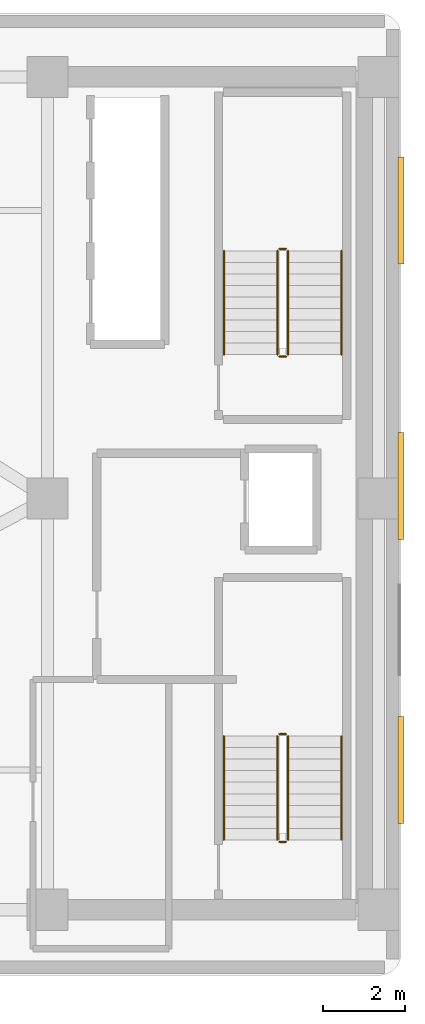
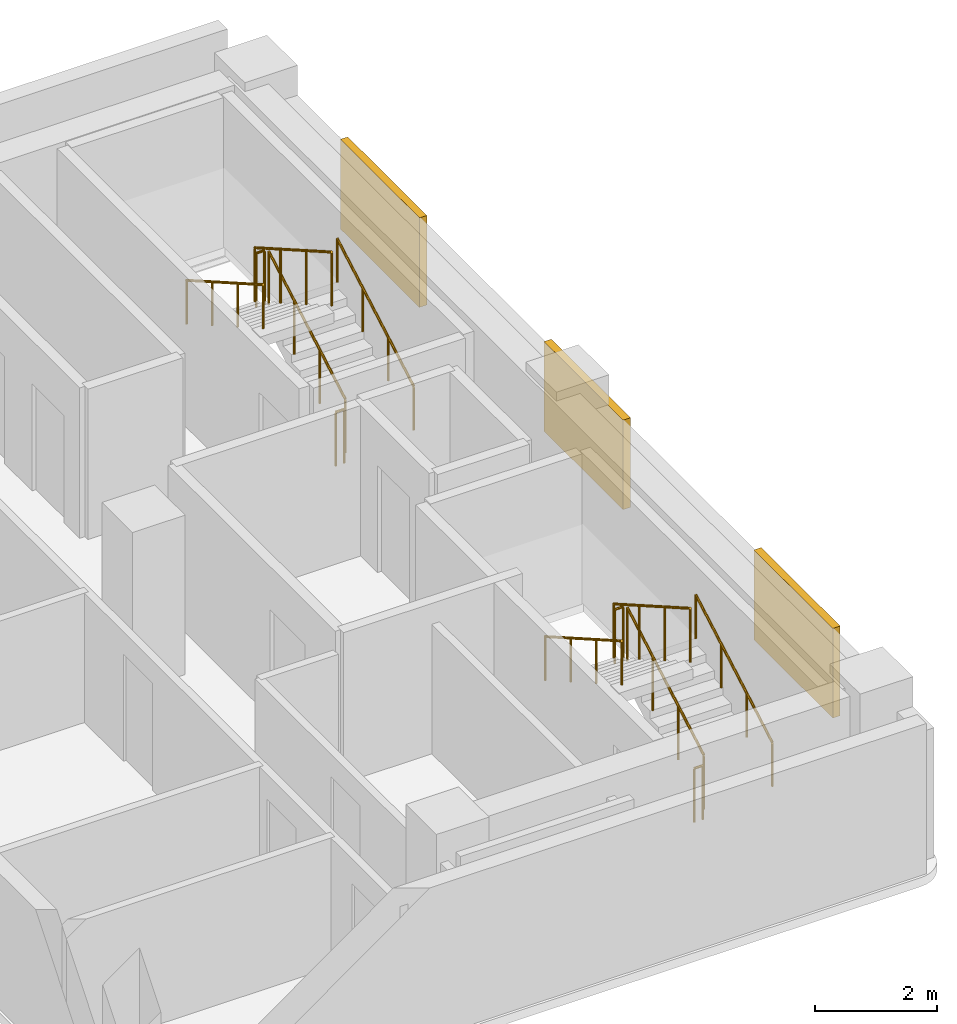
# One storey, part 10 of 10: 12 railings, 3 shading devices.
"""IFC4 building model written with IfcOpenShell, lengths in metres."""

from ifc_helpers import new_model, si_unit, direction, frame, origin, origin_2d, place, context, subcontext, project, spatial, rectangle, circle, extrude, material, layer, layer_set, type_object, element, save


model = new_model("IFC4")

# Units and contexts
model_context = context("Model", 3, precision=1e-05, world=origin(), true_north=direction((0.0, 1.0)))
body_context = subcontext(model_context, "Body", "Model", "MODEL_VIEW")
ifc_project = project(units=[si_unit("LENGTHUNIT", "METRE"), si_unit("AREAUNIT", "SQUARE_METRE"), si_unit("VOLUMEUNIT", "CUBIC_METRE"), si_unit("PLANEANGLEUNIT", "RADIAN"), si_unit("MASSUNIT", "GRAM", prefix="KILO")], contexts=[model_context])

# Site, building, storey
site_placement = place(None, origin())
site = spatial("IfcSite", under=ifc_project, at=site_placement, CompositionType="ELEMENT")
building_placement = place(site_placement, origin())
building = spatial("IfcBuilding", under=site, at=building_placement, Name="Kuzgunbayir Cultural Tower", CompositionType="ELEMENT")
storey_placement = place(building_placement, frame((0.0, 0.0, 93.0)))
storey = spatial("IfcBuildingStorey", under=building, at=storey_placement, Name="L26", CompositionType="ELEMENT", Elevation=93.0)

# Railings
ifc_material_1 = material(Name="Brushed Stainless Steel", Category="steel")
ifc_layer_1 = layer(ifc_material_1, 0.050048828125)
ifc_layer_set_1 = layer_set([ifc_layer_1], Name="Brushed Stainless Steel")
railing_type_1 = type_object("IfcRailingType", Name="RLG-STAIR-HANDRAIL", PredefinedType="HANDRAIL", material=ifc_layer_set_1)
railing_1_placement = place(storey_placement, frame((71.75, 23.699951171875, 0.159912109375)))
element("IfcRailing", 1, at=railing_1_placement, inside=storey, type_object=railing_type_1, Name="L26 ST-3 stair handrail 1", PredefinedType="HANDRAIL", context=body_context, shape_type="SweptSolid", body=[
    extrude(circle(Radius=0.02392578125, at=origin_2d()), frame((0.0, 0.0, 0.8759765625), z_axis=(0.0, 0.868217259934, 0.496184229447), x_axis=(-1.0, 0.0, 0.0)), (0.0, 0.0, 1.0), 2.902587890625),
    extrude(circle(Radius=0.02099609375, at=origin_2d()), origin(), (0.0, 0.0, 1.0), 0.851806640625),
    extrude(circle(Radius=0.02099609375, at=origin_2d()), frame((0.0, 0.840087890625, 0.47998046875)), (0.0, 0.0, 1.0), 0.851806640625),
    extrude(circle(Radius=0.02099609375, at=origin_2d()), frame((0.0, 1.679931640625, 0.960205078125)), (0.0, 0.0, 1.0), 0.851806640625),
    extrude(circle(Radius=0.02099609375, at=origin_2d()), frame((0.0, 2.52001953125, 1.440185546875)), (0.0, 0.0, 1.0), 0.851806640625),
])
railing_2_placement = place(storey_placement, frame((68.889892578125, 26.219970703125, 1.760009765625)))
element("IfcRailing", 2, at=railing_2_placement, inside=storey, type_object=railing_type_1, Name="L26 ST-3 stair handrail 2", PredefinedType="HANDRAIL", context=body_context, shape_type="SweptSolid", body=[
    extrude(circle(Radius=0.02392578125, at=origin_2d()), frame((0.0, 0.0, 0.8759765625), z_axis=(0.0, -0.868253494771, 0.496120820787), x_axis=(1.0, 0.0, 0.0)), (0.0, 0.0, 1.0), 2.90234375),
    extrude(circle(Radius=0.02099609375, at=origin_2d()), origin(), (0.0, 0.0, 1.0), 0.851806640625),
    extrude(circle(Radius=0.02099609375, at=origin_2d()), frame((0.0, -0.840087890625, 0.47998046875)), (0.0, 0.0, 1.0), 0.851806640625),
    extrude(circle(Radius=0.02099609375, at=origin_2d()), frame((0.0, -1.679931640625, 0.9599609375)), (0.0, 0.0, 1.0), 0.851806640625),
    extrude(circle(Radius=0.02099609375, at=origin_2d()), frame((0.0, -2.52001953125, 1.43994140625)), (0.0, 0.0, 1.0), 0.851806640625),
])
railing_3_placement = place(storey_placement, frame((71.75, 35.5, 0.159912109375)))
element("IfcRailing", 3, at=railing_3_placement, inside=storey, type_object=railing_type_1, Name="L26 ST-4 stair handrail 1", PredefinedType="HANDRAIL", context=body_context, shape_type="SweptSolid", body=[
    extrude(circle(Radius=0.02392578125, at=origin_2d()), frame((0.0, 0.0, 0.8759765625), z_axis=(0.0, 0.868217259934, 0.496184229447), x_axis=(-1.0, 0.0, 0.0)), (0.0, 0.0, 1.0), 2.902587890625),
    extrude(circle(Radius=0.02099609375, at=origin_2d()), origin(), (0.0, 0.0, 1.0), 0.851806640625),
    extrude(circle(Radius=0.02099609375, at=origin_2d()), frame((0.0, 0.840087890625, 0.47998046875)), (0.0, 0.0, 1.0), 0.851806640625),
    extrude(circle(Radius=0.02099609375, at=origin_2d()), frame((0.0, 1.679931640625, 0.960205078125)), (0.0, 0.0, 1.0), 0.851806640625),
    extrude(circle(Radius=0.02099609375, at=origin_2d()), frame((0.0, 2.52001953125, 1.440185546875)), (0.0, 0.0, 1.0), 0.851806640625),
])
railing_4_placement = place(storey_placement, frame((68.889892578125, 38.02001953125, 1.760009765625)))
element("IfcRailing", 4, at=railing_4_placement, inside=storey, type_object=railing_type_1, Name="L26 ST-4 stair handrail 2", PredefinedType="HANDRAIL", context=body_context, shape_type="SweptSolid", body=[
    extrude(circle(Radius=0.02392578125, at=origin_2d()), frame((0.0, 0.0, 0.8759765625), z_axis=(0.0, -0.868253494771, 0.496120820787), x_axis=(1.0, 0.0, 0.0)), (0.0, 0.0, 1.0), 2.90234375),
    extrude(circle(Radius=0.02099609375, at=origin_2d()), origin(), (0.0, 0.0, 1.0), 0.851806640625),
    extrude(circle(Radius=0.02099609375, at=origin_2d()), frame((0.0, -0.840087890625, 0.47998046875)), (0.0, 0.0, 1.0), 0.851806640625),
    extrude(circle(Radius=0.02099609375, at=origin_2d()), frame((0.0, -1.679931640625, 0.9599609375)), (0.0, 0.0, 1.0), 0.851806640625),
    extrude(circle(Radius=0.02099609375, at=origin_2d()), frame((0.0, -2.52001953125, 1.43994140625)), (0.0, 0.0, 1.0), 0.851806640625),
])
ifc_material_2 = material(Name="Painted Steel Balustrade", Category="steel")
ifc_layer_2 = layer(ifc_material_2, 0.06005859375)
ifc_layer_set_2 = layer_set([ifc_layer_2], Name="Painted Steel Balustrade")
railing_type_2 = type_object("IfcRailingType", Name="RLG-WELL-GUARD", PredefinedType="GUARDRAIL", material=ifc_layer_set_2)
railing_5_placement = place(storey_placement, frame((70.449951171875, 23.699951171875, 0.159912109375)))
element("IfcRailing", 5, at=railing_5_placement, inside=storey, type_object=railing_type_2, Name="L26 ST-3 stair guard 1", PredefinedType="GUARDRAIL", context=body_context, shape_type="SweptSolid", body=[
    extrude(circle(Radius=0.02392578125, at=origin_2d()), frame((0.0, 0.0, 1.076171875), z_axis=(0.0, 0.868217259934, 0.496184229447), x_axis=(-1.0, 0.0, 0.0)), (0.0, 0.0, 1.0), 2.902587890625),
    extrude(circle(Radius=0.02099609375, at=origin_2d()), origin(), (0.0, 0.0, 1.0), 1.052001953125),
    extrude(circle(Radius=0.02099609375, at=origin_2d()), frame((0.0, 0.840087890625, 0.47998046875)), (0.0, 0.0, 1.0), 1.052001953125),
    extrude(circle(Radius=0.02099609375, at=origin_2d()), frame((0.0, 1.679931640625, 0.960205078125)), (0.0, 0.0, 1.0), 1.052001953125),
    extrude(circle(Radius=0.02099609375, at=origin_2d()), frame((0.0, 2.52001953125, 1.440185546875)), (0.0, 0.0, 1.0), 1.052001953125),
])
railing_6_placement = place(storey_placement, frame((70.39990234375, 26.27001953125, 1.60009765625)))
element("IfcRailing", 6, at=railing_6_placement, inside=storey, type_object=railing_type_2, Name="L26 ST-3 stair guard 2", PredefinedType="GUARDRAIL", context=body_context, shape_type="SweptSolid", body=[
    extrude(circle(Radius=0.02392578125, at=origin_2d()), frame((0.0, 0.0, 1.076171875), z_axis=(-1.0, 0.0, 0.0), x_axis=(0.0, -1.0, 0.0)), (0.0, 0.0, 1.0), 0.159912109375),
    extrude(circle(Radius=0.02099609375, at=origin_2d()), origin(), (0.0, 0.0, 1.0), 1.052001953125),
    extrude(circle(Radius=0.02099609375, at=origin_2d()), frame((-0.159912109375, 0.0, 0.0)), (0.0, 0.0, 1.0), 1.052001953125),
])
railing_7_placement = place(storey_placement, frame((70.18994140625, 26.219970703125, 1.760009765625)))
element("IfcRailing", 7, at=railing_7_placement, inside=storey, type_object=railing_type_2, Name="L26 ST-3 stair guard 3", PredefinedType="GUARDRAIL", context=body_context, shape_type="SweptSolid", body=[
    extrude(circle(Radius=0.02392578125, at=origin_2d()), frame((0.0, 0.0, 1.076171875), z_axis=(0.0, -0.868253494771, 0.496120820787), x_axis=(1.0, 0.0, 0.0)), (0.0, 0.0, 1.0), 2.90234375),
    extrude(circle(Radius=0.02099609375, at=origin_2d()), origin(), (0.0, 0.0, 1.0), 1.052001953125),
    extrude(circle(Radius=0.02099609375, at=origin_2d()), frame((0.0, -0.840087890625, 0.47998046875)), (0.0, 0.0, 1.0), 1.052001953125),
    extrude(circle(Radius=0.02099609375, at=origin_2d()), frame((0.0, -1.679931640625, 0.9599609375)), (0.0, 0.0, 1.0), 1.052001953125),
    extrude(circle(Radius=0.02099609375, at=origin_2d()), frame((0.0, -2.52001953125, 1.43994140625)), (0.0, 0.0, 1.0), 1.052001953125),
])
railing_8_placement = place(storey_placement, frame((70.39990234375, 23.64990234375, 0.0)))
element("IfcRailing", 8, at=railing_8_placement, inside=storey, type_object=railing_type_2, Name="L26 ST-3 stair guard 4", PredefinedType="GUARDRAIL", context=body_context, shape_type="SweptSolid", body=[
    extrude(circle(Radius=0.02392578125, at=origin_2d()), frame((0.0, 0.0, 1.076171875), z_axis=(-1.0, 0.0, 0.0), x_axis=(0.0, -1.0, 0.0)), (0.0, 0.0, 1.0), 0.159912109375),
    extrude(circle(Radius=0.02099609375, at=origin_2d()), origin(), (0.0, 0.0, 1.0), 1.052001953125),
    extrude(circle(Radius=0.02099609375, at=origin_2d()), frame((-0.159912109375, 0.0, 0.0)), (0.0, 0.0, 1.0), 1.052001953125),
])
railing_9_placement = place(storey_placement, frame((70.449951171875, 35.5, 0.159912109375)))
element("IfcRailing", 9, at=railing_9_placement, inside=storey, type_object=railing_type_2, Name="L26 ST-4 stair guard 1", PredefinedType="GUARDRAIL", context=body_context, shape_type="SweptSolid", body=[
    extrude(circle(Radius=0.02392578125, at=origin_2d()), frame((0.0, 0.0, 1.076171875), z_axis=(0.0, 0.868217259934, 0.496184229447), x_axis=(-1.0, 0.0, 0.0)), (0.0, 0.0, 1.0), 2.902587890625),
    extrude(circle(Radius=0.02099609375, at=origin_2d()), origin(), (0.0, 0.0, 1.0), 1.052001953125),
    extrude(circle(Radius=0.02099609375, at=origin_2d()), frame((0.0, 0.840087890625, 0.47998046875)), (0.0, 0.0, 1.0), 1.052001953125),
    extrude(circle(Radius=0.02099609375, at=origin_2d()), frame((0.0, 1.679931640625, 0.960205078125)), (0.0, 0.0, 1.0), 1.052001953125),
    extrude(circle(Radius=0.02099609375, at=origin_2d()), frame((0.0, 2.52001953125, 1.440185546875)), (0.0, 0.0, 1.0), 1.052001953125),
])
railing_10_placement = place(storey_placement, frame((70.39990234375, 38.070068359375, 1.60009765625)))
element("IfcRailing", 10, at=railing_10_placement, inside=storey, type_object=railing_type_2, Name="L26 ST-4 stair guard 2", PredefinedType="GUARDRAIL", context=body_context, shape_type="SweptSolid", body=[
    extrude(circle(Radius=0.02392578125, at=origin_2d()), frame((0.0, 0.0, 1.076171875), z_axis=(-1.0, 0.0, 0.0), x_axis=(0.0, -1.0, 0.0)), (0.0, 0.0, 1.0), 0.159912109375),
    extrude(circle(Radius=0.02099609375, at=origin_2d()), origin(), (0.0, 0.0, 1.0), 1.052001953125),
    extrude(circle(Radius=0.02099609375, at=origin_2d()), frame((-0.159912109375, 0.0, 0.0)), (0.0, 0.0, 1.0), 1.052001953125),
])
railing_11_placement = place(storey_placement, frame((70.18994140625, 38.02001953125, 1.760009765625)))
element("IfcRailing", 11, at=railing_11_placement, inside=storey, type_object=railing_type_2, Name="L26 ST-4 stair guard 3", PredefinedType="GUARDRAIL", context=body_context, shape_type="SweptSolid", body=[
    extrude(circle(Radius=0.02392578125, at=origin_2d()), frame((0.0, 0.0, 1.076171875), z_axis=(0.0, -0.868253494771, 0.496120820787), x_axis=(1.0, 0.0, 0.0)), (0.0, 0.0, 1.0), 2.90234375),
    extrude(circle(Radius=0.02099609375, at=origin_2d()), origin(), (0.0, 0.0, 1.0), 1.052001953125),
    extrude(circle(Radius=0.02099609375, at=origin_2d()), frame((0.0, -0.840087890625, 0.47998046875)), (0.0, 0.0, 1.0), 1.052001953125),
    extrude(circle(Radius=0.02099609375, at=origin_2d()), frame((0.0, -1.679931640625, 0.9599609375)), (0.0, 0.0, 1.0), 1.052001953125),
    extrude(circle(Radius=0.02099609375, at=origin_2d()), frame((0.0, -2.52001953125, 1.43994140625)), (0.0, 0.0, 1.0), 1.052001953125),
])
railing_12_placement = place(storey_placement, frame((70.39990234375, 35.449951171875, 0.0)))
element("IfcRailing", 12, at=railing_12_placement, inside=storey, type_object=railing_type_2, Name="L26 ST-4 stair guard 4", PredefinedType="GUARDRAIL", context=body_context, shape_type="SweptSolid", body=[
    extrude(circle(Radius=0.02392578125, at=origin_2d()), frame((0.0, 0.0, 1.076171875), z_axis=(-1.0, 0.0, 0.0), x_axis=(0.0, -1.0, 0.0)), (0.0, 0.0, 1.0), 0.159912109375),
    extrude(circle(Radius=0.02099609375, at=origin_2d()), origin(), (0.0, 0.0, 1.0), 1.052001953125),
    extrude(circle(Radius=0.02099609375, at=origin_2d()), frame((-0.159912109375, 0.0, 0.0)), (0.0, 0.0, 1.0), 1.052001953125),
])

# Shading devices
ifc_material_3 = material(Name="Perforated Bronze-Anodised Aluminium", Category="aluminium")
shading_device_type = type_object("IfcShadingDeviceType", Name="SHD-SOLAR-BRONZE", PredefinedType="JALOUSIE", material=ifc_material_3)
for number, where, z_axis, x_axis, name in (
    (13, (73.199951171875, 25.39990234375, 0.7998046875), (0.0, 0.0, 1.0), (1.0, 0.0, 0.0), "L26 Companion East Bronze Solar Screen 25"),
    (14, (73.199951171875, 32.300048828125, 0.7998046875), (0.0, 0.0, 1.0), (1.0, 0.0, 0.0), "L26 Companion East Bronze Solar Screen 32"),
    (15, (73.199951171875, 39.0, 0.7998046875), (0.0, 0.0, 1.0), (1.0, 0.0, 0.0), "L26 Companion East Bronze Solar Screen 39"),
):
    element("IfcShadingDevice", number, at=place(storey_placement, frame(where, z_axis=z_axis, x_axis=x_axis)), inside=storey, type_object=shading_device_type, Name=name, PredefinedType="JALOUSIE", context=body_context, shape_type="SweptSolid", body=[
        extrude(rectangle(XDim=0.139892578125, YDim=2.60009765625, at=origin_2d()), origin(), (0.0, 0.0, 1.0), 1.800048828125),
    ])

save(model, "model.ifc")
